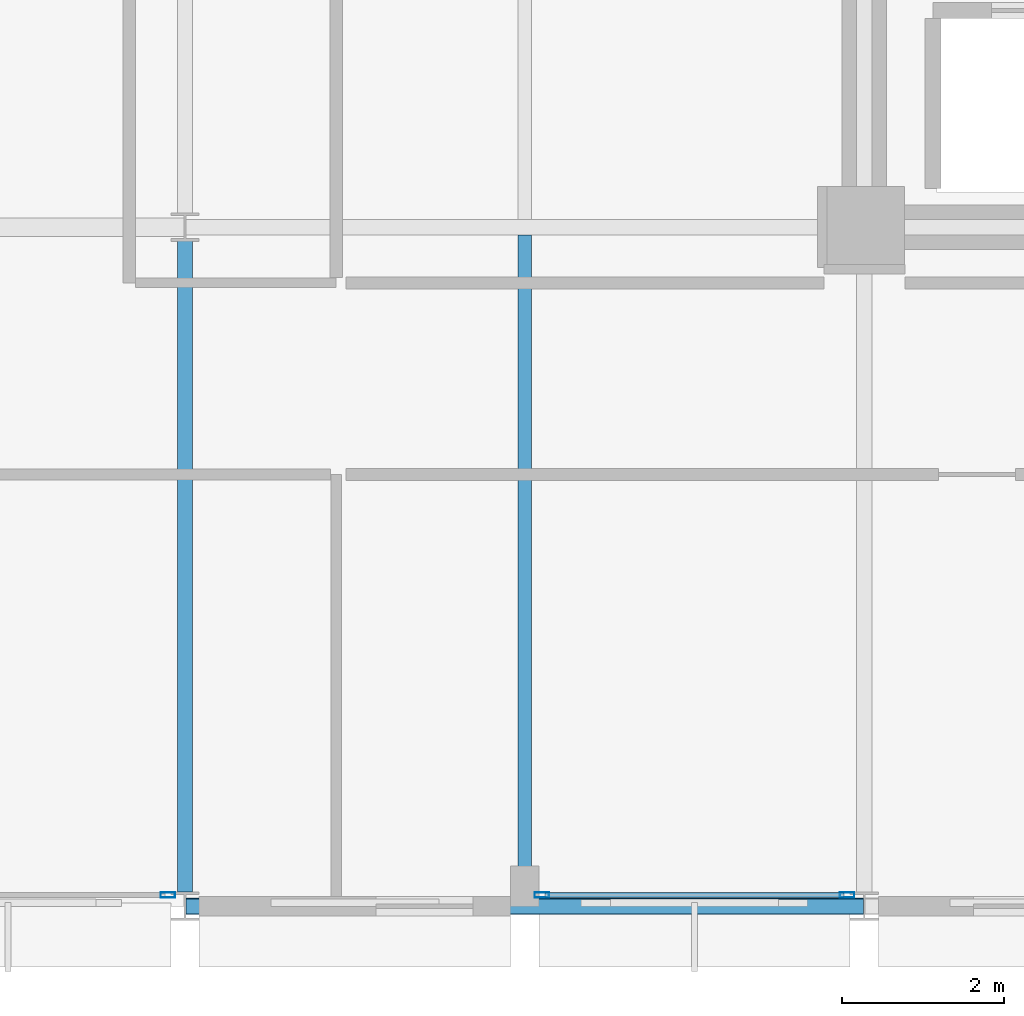
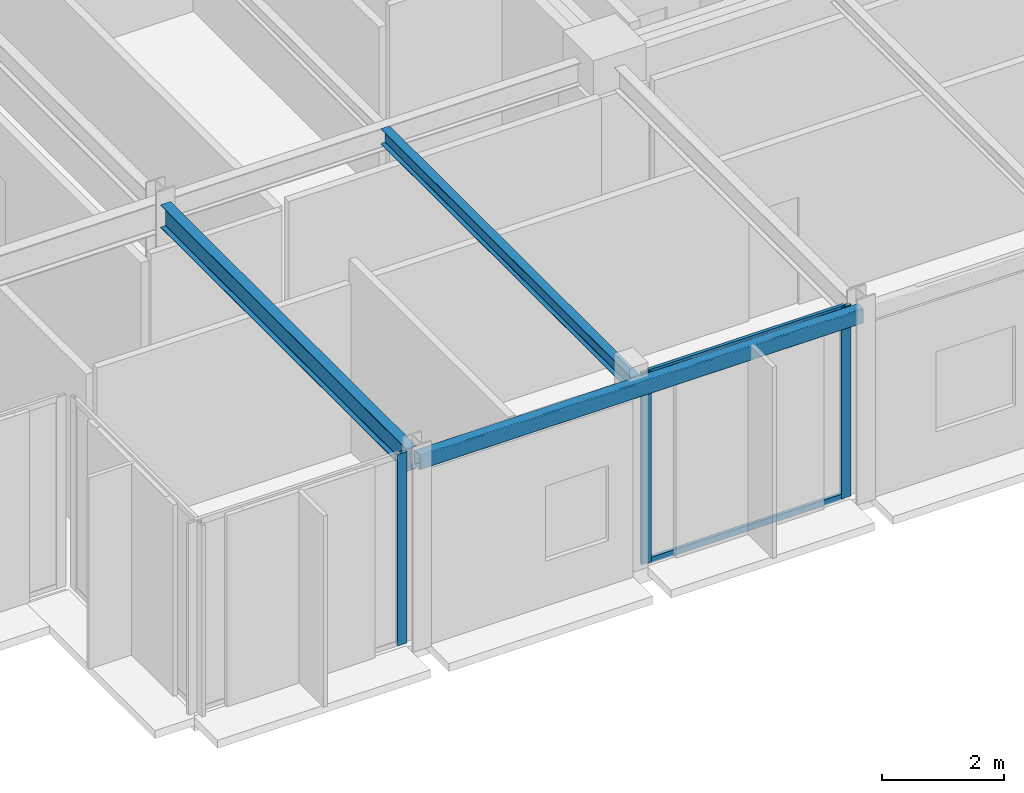
# One storey, part 6 of 30: 5 members, 3 beams, 2 elements without a shape of their own.
"""IFC4 building model written with IfcOpenShell, lengths in metres."""

from ifc_helpers import new_model, si_unit, direction, frame, origin, origin_2d, place, context, subcontext, project, spatial, hollow_rectangle, i_section, extrude, material, layer, layer_set, material_profile, profile_set, type_object, element, aggregate, save


model = new_model("IFC4")

# Units and contexts
model_context = context("Model", 3, precision=1e-05, world=origin(), true_north=direction((0.0, 1.0)))
body_context = subcontext(model_context, "Body", "Model", "MODEL_VIEW")
ifc_project = project(units=[si_unit("LENGTHUNIT", "METRE"), si_unit("AREAUNIT", "SQUARE_METRE"), si_unit("VOLUMEUNIT", "CUBIC_METRE"), si_unit("PLANEANGLEUNIT", "RADIAN"), si_unit("MASSUNIT", "GRAM", prefix="KILO")], contexts=[model_context])

# Site, building, storey
site_placement = place(None, origin())
site = spatial("IfcSite", under=ifc_project, at=site_placement, CompositionType="ELEMENT")
building_placement = place(site_placement, origin())
building = spatial("IfcBuilding", under=site, at=building_placement, Name="Nerrivon Quay Data Exchange", CompositionType="ELEMENT")
storey_placement = place(building_placement, frame((0.0, 0.0, 171.39990234375)))
storey = spatial("IfcBuildingStorey", under=building, at=storey_placement, Name="L40", CompositionType="ELEMENT", Elevation=171.39990234375)

# Beams
ifc_material_1 = material(Name="Steel Grade 350", Category="steel")
ifc_material_profile_1 = material_profile(ifc_material_1, i_section(OverallWidth=0.18994140625, OverallDepth=0.4541015625, WebThickness=0.008544921875, FlangeThickness=0.0126953125, FilletRadius=0.011474609375, at=origin_2d()), Name="460UB67.1")
ifc_profile_set_1 = profile_set([ifc_material_profile_1], Name="Steel Grade 350")
beam_type_1 = type_object("IfcBeamType", Name="BM-G6-460UB67", PredefinedType="BEAM", material=ifc_profile_set_1)
beam_1_placement = place(storey_placement, frame((8.39990234375, 0.175048828125, 3.59814453125), z_axis=(0.0, 1.0, 0.0), x_axis=(-1.0, 0.0, 0.0)))
element("IfcBeam", 1, at=beam_1_placement, inside=storey, type_object=beam_type_1, Name="L40 NS Girder X=8.4 (0.0..8.4)", PredefinedType="BEAM", context=body_context, shape_type="SweptSolid", body=[
    extrude(i_section(OverallWidth=0.18994140625, OverallDepth=0.4541015625, WebThickness=0.008544921875, FlangeThickness=0.0126953125, FilletRadius=0.011474609375, at=origin_2d()), origin(), (0.0, 0.0, 1.0), 8.050048828125),
])
ifc_material_profile_2 = material_profile(ifc_material_1, i_section(OverallWidth=0.166015625, OverallDepth=0.306884765625, WebThickness=0.006591796875, FlangeThickness=0.01171875, FilletRadius=0.011474609375, at=origin_2d()), Name="310UB46.2")
ifc_profile_set_2 = profile_set([ifc_material_profile_2], Name="Steel Grade 350")
beam_type_2 = type_object("IfcBeamType", Name="BM-J5-310UB46", PredefinedType="JOIST", material=ifc_profile_set_2)
beam_2_placement = place(storey_placement, frame((12.60009765625, 0.10009765625, 3.671630859375), z_axis=(0.0, 1.0, 0.0), x_axis=(-1.0, 0.0, 0.0)))
element("IfcBeam", 2, at=beam_2_placement, inside=storey, type_object=beam_type_2, Name="L40 Secondary Joist X=12.6 (0.0..8.4)", PredefinedType="JOIST", context=body_context, shape_type="SweptSolid", body=[
    extrude(i_section(OverallWidth=0.166015625, OverallDepth=0.306884765625, WebThickness=0.006591796875, FlangeThickness=0.01171875, FilletRadius=0.011474609375, at=origin_2d()), origin(), (0.0, 0.0, 1.0), 8.204345703125),
])
ifc_material_2 = material(Name="Steel Grade C350L0 (350 MPa)", Category="steel")
ifc_material_profile_3 = material_profile(ifc_material_2, hollow_rectangle(XDim=0.199951171875, YDim=0.300048828125, WallThickness=0.012451171875, InnerFilletRadius=0.018798828125, OuterFilletRadius=0.03125, at=origin_2d()), Name="300x200x12.5RHS")
ifc_profile_set_3 = profile_set([ifc_material_profile_3], Name="Steel Grade C350L0 (350 MPa)")
beam_type_3 = type_object("IfcBeamType", Name="BM-SP3-300x200RHS", PredefinedType="SPANDREL", material=ifc_profile_set_3)
beam_3_placement = place(storey_placement, frame((8.409912109375, 0.0, 3.675048828125), z_axis=(1.0, 0.0, 0.0), x_axis=(0.0, 1.0, 0.0)))
element("IfcBeam", 3, at=beam_3_placement, inside=storey, type_object=beam_type_3, Name="L40 EW Girder Y=0.0 (8.4..16.8)", PredefinedType="SPANDREL", context=body_context, shape_type="SweptSolid", body=[
    extrude(hollow_rectangle(XDim=0.199951171875, YDim=0.300048828125, WallThickness=0.012451171875, InnerFilletRadius=0.018798828125, OuterFilletRadius=0.03125, at=origin_2d()), origin(), (0.0, 0.0, 1.0), 8.380126953125),
])

# Curtain wall, members
ifc_material_3 = material(Name="Anodised aluminium 6063-T6", Category="aluminium")
ifc_layer = layer(ifc_material_3, 0.195068359375)
ifc_layer_set = layer_set([ifc_layer], Name="Anodised aluminium 6063-T6")
curtain_wall_type = type_object("IfcCurtainWallType", Name="CW-SYS-06", PredefinedType="NOTDEFINED", material=ifc_layer_set)
curtain_wall_1_placement = place(storey_placement, origin())
curtain_wall_1 = element("IfcCurtainWall", 4, at=curtain_wall_1_placement, inside=storey, type_object=curtain_wall_type, Name="L40 Unitised Curtain Wall 26", PredefinedType="NOTDEFINED")
ifc_material_profile_4 = material_profile(ifc_material_3, hollow_rectangle(XDim=0.06494140625, YDim=0.179931640625, WallThickness=0.00341796875, at=origin_2d()), Name="ALU-MULL-180x65")
ifc_profile_set_4 = profile_set([ifc_material_profile_4], Name="Anodised aluminium 6063-T6")
member_type_1 = type_object("IfcMemberType", Name="CWM-180x65", PredefinedType="MULLION", material=ifc_profile_set_4)
member_1_placement = place(storey_placement, frame((16.58740234375, 0.139892578125, 0.0), z_axis=(0.0, 0.0, 1.0), x_axis=(0.0, -1.0, 0.0)))
member_1 = element("IfcMember", 5, at=member_1_placement, type_object=member_type_1, Name="CW06 mullion 1", PredefinedType="MULLION", context=body_context, shape_type="SweptSolid", body=[
    extrude(hollow_rectangle(XDim=0.06494140625, YDim=0.179931640625, WallThickness=0.00341796875, at=origin_2d()), origin(), (0.0, 0.0, 1.0), 3.8251953125),
])
member_2_placement = place(storey_placement, frame((12.8125, 0.139892578125, 0.0), z_axis=(0.0, 0.0, 1.0), x_axis=(0.0, -1.0, 0.0)))
member_2 = element("IfcMember", 6, at=member_2_placement, type_object=member_type_1, Name="CW06 mullion 2", PredefinedType="MULLION", context=body_context, shape_type="SweptSolid", body=[
    extrude(hollow_rectangle(XDim=0.06494140625, YDim=0.179931640625, WallThickness=0.00341796875, at=origin_2d()), origin(), (0.0, 0.0, 1.0), 3.8251953125),
])

# Curtain wall, member
curtain_wall_2_placement = place(storey_placement, origin())
curtain_wall_2 = element("IfcCurtainWall", 7, at=curtain_wall_2_placement, inside=storey, type_object=curtain_wall_type, Name="L40 Unitised Curtain Wall 28", PredefinedType="NOTDEFINED")
member_3_placement = place(storey_placement, frame((8.1875, 0.139892578125, 0.0), z_axis=(0.0, 0.0, 1.0), x_axis=(0.0, -1.0, 0.0)))
member_3 = element("IfcMember", 8, at=member_3_placement, type_object=member_type_1, Name="CW06 mullion 1", PredefinedType="MULLION", context=body_context, shape_type="SweptSolid", body=[
    extrude(hollow_rectangle(XDim=0.06494140625, YDim=0.179931640625, WallThickness=0.00341796875, at=origin_2d()), origin(), (0.0, 0.0, 1.0), 3.8251953125),
])
aggregate(curtain_wall_2, [member_3])

# Member
ifc_material_profile_5 = material_profile(ifc_material_3, hollow_rectangle(XDim=0.06005859375, YDim=0.1201171875, WallThickness=0.003173828125, at=origin_2d()), Name="ALU-TRAN-120x60")
ifc_profile_set_5 = profile_set([ifc_material_profile_5], Name="Anodised aluminium 6063-T6")
member_type_2 = type_object("IfcMemberType", Name="CWT-120x60", PredefinedType="USERDEFINED", material=ifc_profile_set_5)
member_4_placement = place(storey_placement, frame((16.550048828125, 0.139892578125, 0.03271484375), z_axis=(-1.0, 0.0, 0.0), x_axis=(0.0, -1.0, 0.0)))
member_4 = element("IfcMember", 9, at=member_4_placement, type_object=member_type_2, Name="CW06 transom 1.1", ObjectType="TRANSOM", PredefinedType="USERDEFINED", context=body_context, shape_type="SweptSolid", body=[
    extrude(hollow_rectangle(XDim=0.06005859375, YDim=0.1201171875, WallThickness=0.003173828125, at=origin_2d()), origin(), (0.0, 0.0, 1.0), 3.699951171875),
])

member_5_placement = place(storey_placement, frame((16.550048828125, 0.139892578125, 3.79248046875), z_axis=(-1.0, 0.0, 0.0), x_axis=(0.0, -1.0, 0.0)))
member_5 = element("IfcMember", 10, at=member_5_placement, type_object=member_type_2, Name="CW06 transom 1.2", ObjectType="TRANSOM", PredefinedType="USERDEFINED", context=body_context, shape_type="SweptSolid", body=[
    extrude(hollow_rectangle(XDim=0.06005859375, YDim=0.1201171875, WallThickness=0.003173828125, at=origin_2d()), origin(), (0.0, 0.0, 1.0), 3.699951171875),
])

aggregate(curtain_wall_1, [member_1, member_2, member_4, member_5])

save(model, "model.ifc")
